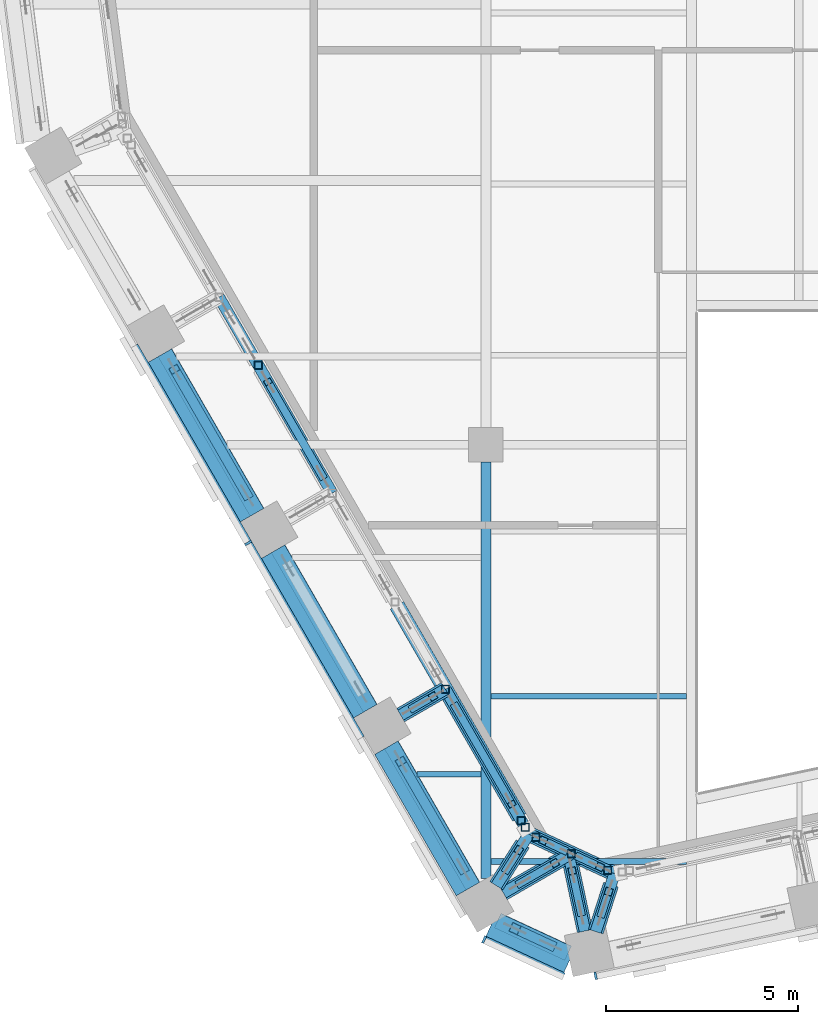
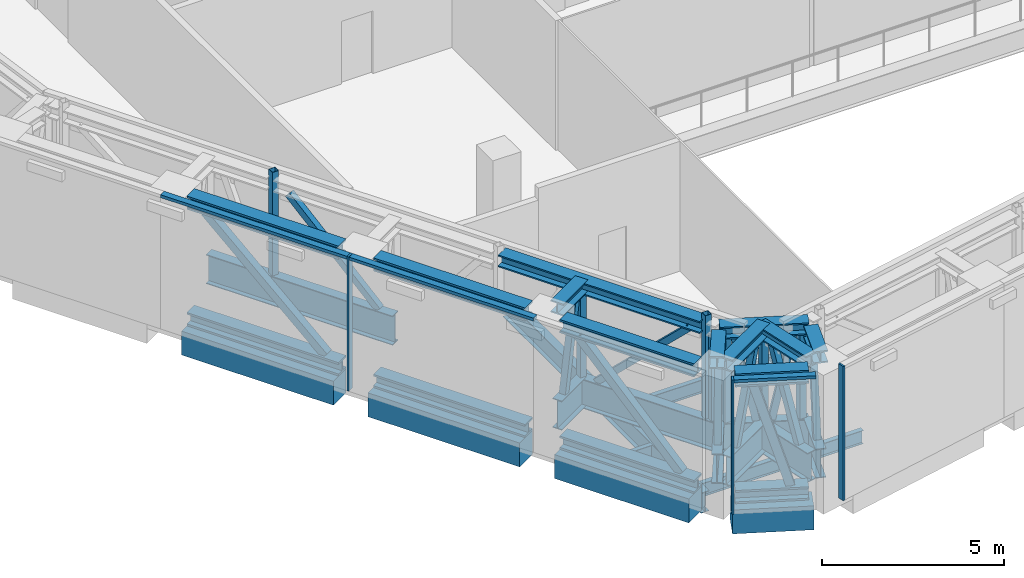
# One storey, part 2 of 25: 48 members, 8 beams, 3 elements without a shape of their own.
"""IFC4 building model written with IfcOpenShell, lengths in metres."""

from ifc_helpers import new_model, si_unit, direction, frame, origin, origin_2d, place, context, subcontext, project, spatial, rectangle, hollow_rectangle, i_section, extrude, material, layer, layer_set, material_profile, profile_set, type_object, element, aggregate, save


model = new_model("IFC4")

# Units and contexts
model_context = context("Model", 3, precision=1e-05, world=origin(), true_north=direction((0.0, 1.0)))
body_context = subcontext(model_context, "Body", "Model", "MODEL_VIEW")
ifc_project = project(units=[si_unit("LENGTHUNIT", "METRE"), si_unit("AREAUNIT", "SQUARE_METRE"), si_unit("VOLUMEUNIT", "CUBIC_METRE"), si_unit("PLANEANGLEUNIT", "RADIAN"), si_unit("MASSUNIT", "GRAM", prefix="KILO")], contexts=[model_context])

# Site, building, storey
site_placement = place(None, origin())
site = spatial("IfcSite", under=ifc_project, at=site_placement, CompositionType="ELEMENT")
building_placement = place(site_placement, origin())
building = spatial("IfcBuilding", under=site, at=building_placement, Name="Isthmus Gate Tower", CompositionType="ELEMENT")
storey_placement = place(building_placement, frame((0.0, 0.0, 256.449951171875)))
storey = spatial("IfcBuildingStorey", under=building, at=storey_placement, Name="L65", CompositionType="ELEMENT", Elevation=256.449951171875)

# Members
ifc_material_1 = material(Name="Structural steel ASTM A913 Gr 65", Category="steel")
ifc_material_profile_1 = material_profile(ifc_material_1, i_section(OverallWidth=0.416015625, OverallDepth=0.444580078125, WebThickness=0.039794921875, FlangeThickness=0.0634765625, at=origin_2d()), Name="W14X342")
ifc_profile_set_1 = profile_set([ifc_material_profile_1], Name="Structural steel ASTM A913 Gr 65")
member_type_1 = type_object("IfcMemberType", Name="BELT TRUSS CHORD W14X342", PredefinedType="CHORD", material=ifc_profile_set_1)
for number, where, z_axis, x_axis, name in (
    (1, (-11.355712890625, -26.774658203125, 0.222412109375), (-0.907278117888, 0.420531112763, 0.0), (-0.420531112763, -0.907278117888, 0.0), "str-belt15-L65-01"),
    (2, (-11.355712890625, -26.774658203125, 4.127685546875), (-0.907278117888, 0.420531112763, 0.0), (-0.420531112763, -0.907278117888, 0.0), "str-belt15-L65-02"),
):
    element("IfcMember", number, at=place(storey_placement, frame(where, z_axis=z_axis, x_axis=x_axis)), inside=storey, type_object=member_type_1, Name=name, PredefinedType="CHORD", context=body_context, shape_type="SweptSolid", body=[
        extrude(i_section(OverallWidth=0.416015625, OverallDepth=0.444580078125, WebThickness=0.039794921875, FlangeThickness=0.0634765625, at=origin_2d()), origin(), (0.0, 0.0, 1.0), 2.02783203125),
    ])
for number, where, z_axis, x_axis, name in (
    (3, (-13.842041015625, -25.02490234375, 0.222412109375), (-0.499978742089, 0.866037676697, 0.0), (-0.866037676697, -0.499978742089, 0.0), "str-belt16-L65-01"),
    (4, (-13.842041015625, -25.02490234375, 4.127685546875), (-0.499978742089, 0.866037676697, 0.0), (-0.866037676697, -0.499978742089, 0.0), "str-belt16-L65-02"),
):
    element("IfcMember", number, at=place(storey_placement, frame(where, z_axis=z_axis, x_axis=x_axis)), inside=storey, type_object=member_type_1, Name=name, PredefinedType="CHORD", context=body_context, shape_type="SweptSolid", body=[
        extrude(i_section(OverallWidth=0.416015625, OverallDepth=0.444580078125, WebThickness=0.039794921875, FlangeThickness=0.0634765625, at=origin_2d()), origin(), (0.0, 0.0, 1.0), 4.260498046875),
    ])
for number, where, z_axis, x_axis, name in (
    (5, (-16.522216796875, -20.382568359375, 0.222412109375), (-0.500003616288, 0.866023315909, 0.0), (-0.866023315909, -0.500003616288, 0.0), "str-belt17-L65-01"),
    (6, (-16.522216796875, -20.382568359375, 4.127685546875), (-0.500003616288, 0.866023315909, 0.0), (-0.866023315909, -0.500003616288, 0.0), "str-belt17-L65-02"),
):
    element("IfcMember", number, at=place(storey_placement, frame(where, z_axis=z_axis, x_axis=x_axis)), inside=storey, type_object=member_type_1, Name=name, PredefinedType="CHORD", context=body_context, shape_type="SweptSolid", body=[
        extrude(i_section(OverallWidth=0.416015625, OverallDepth=0.444580078125, WebThickness=0.039794921875, FlangeThickness=0.0634765625, at=origin_2d()), origin(), (0.0, 0.0, 1.0), 4.810546875),
    ])
for number, where, z_axis, x_axis, name in (
    (7, (-19.4775390625, -15.263916015625, 0.222412109375), (-0.49998164095, 0.866036003127, 0.0), (-0.866036003127, -0.49998164095, 0.0), "str-belt18-L65-01"),
    (8, (-19.4775390625, -15.263916015625, 4.127685546875), (-0.49998164095, 0.866036003127, 0.0), (-0.866036003127, -0.49998164095, 0.0), "str-belt18-L65-02"),
):
    element("IfcMember", number, at=place(storey_placement, frame(where, z_axis=z_axis, x_axis=x_axis)), inside=storey, type_object=member_type_1, Name=name, PredefinedType="CHORD", context=body_context, shape_type="SweptSolid", body=[
        extrude(i_section(OverallWidth=0.416015625, OverallDepth=0.444580078125, WebThickness=0.039794921875, FlangeThickness=0.0634765625, at=origin_2d()), origin(), (0.0, 0.0, 1.0), 4.810791015625),
    ])

# Curtain wall, member
ifc_material_2 = material(Name="Aluminium, pale champagne anodised", Category="aluminium")
ifc_layer = layer(ifc_material_2, 0.199951171875)
ifc_layer_set = layer_set([ifc_layer], Name="CW-2 LOUVRE CURTAIN WALL 200 DEEP")
curtain_wall_type = type_object("IfcCurtainWallType", Name="CW-2 LOUVRE CURTAIN WALL 200 DEEP", PredefinedType="NOTDEFINED", material=ifc_layer_set)
curtain_wall_1_placement = place(storey_placement, origin())
curtain_wall_1 = element("IfcCurtainWall", 9, at=curtain_wall_1_placement, inside=storey, type_object=curtain_wall_type, Name="CW-2 SW L65", PredefinedType="NOTDEFINED")
ifc_material_3 = material(Name="Aluminium, pale champagne anodised", Category="aluminium")
ifc_material_profile_2 = material_profile(ifc_material_3, rectangle(XDim=0.06005859375, YDim=0.199951171875, at=origin_2d()), Name="60x200")
ifc_profile_set_2 = profile_set([ifc_material_profile_2], Name="Aluminium, pale champagne anodised")
member_type_2 = type_object("IfcMemberType", Name="CW-2 MULLION 60 X 200", PredefinedType="MULLION", material=ifc_profile_set_2)
member_1_placement = place(storey_placement, frame((-19.707275390625, -16.066162109375, 0.0), z_axis=(0.0, 0.0, 1.0), x_axis=(0.5, -0.866025403784, 0.0)))
member_1 = element("IfcMember", 10, at=member_1_placement, type_object=member_type_2, Name="CW-2 mullion", PredefinedType="MULLION", context=body_context, shape_type="SweptSolid", body=[
    extrude(rectangle(XDim=0.06005859375, YDim=0.199951171875, at=origin_2d()), origin(), (0.0, 0.0, 1.0), 4.5),
])

curtain_wall_2_placement = place(storey_placement, origin())
curtain_wall_2 = element("IfcCurtainWall", 11, at=curtain_wall_2_placement, inside=storey, type_object=curtain_wall_type, Name="CW-2 SW-S L65", PredefinedType="NOTDEFINED")
member_2_placement = place(storey_placement, frame((-13.54833984375, -26.419677734375, 0.0), z_axis=(0.0, 0.0, 1.0), x_axis=(0.907256261367, -0.420578264073, 0.0)))
member_2 = element("IfcMember", 12, at=member_2_placement, type_object=member_type_2, Name="CW-2 mullion", PredefinedType="MULLION", context=body_context, shape_type="SweptSolid", body=[
    extrude(rectangle(XDim=0.06005859375, YDim=0.199951171875, at=origin_2d()), origin(), (0.0, 0.0, 1.0), 4.5),
])

curtain_wall_3_placement = place(storey_placement, origin())
curtain_wall_3 = element("IfcCurtainWall", 13, at=curtain_wall_3_placement, inside=storey, type_object=curtain_wall_type, Name="CW-2 S L65", PredefinedType="NOTDEFINED")
member_3_placement = place(storey_placement, frame((-10.6376953125, -27.36328125, 0.0), z_axis=(0.0, 0.0, 1.0), x_axis=(0.978147600734, 0.207911690818, 0.0)))
member_3 = element("IfcMember", 14, at=member_3_placement, type_object=member_type_2, Name="CW-2 mullion", PredefinedType="MULLION", context=body_context, shape_type="SweptSolid", body=[
    extrude(rectangle(XDim=0.06005859375, YDim=0.199951171875, at=origin_2d()), origin(), (0.0, 0.0, 1.0), 4.5),
])
aggregate(curtain_wall_3, [member_3])

# Member
ifc_material_4 = material(Name="Aluminium, pale champagne anodised", Category="aluminium")
ifc_material_profile_3 = material_profile(ifc_material_4, rectangle(XDim=0.199951171875, YDim=0.10009765625, at=origin_2d()), Name="200x100")
ifc_profile_set_3 = profile_set([ifc_material_profile_3], Name="Aluminium, pale champagne anodised")
member_type_3 = type_object("IfcMemberType", Name="CW-2 TRANSOM 200 X 100", PredefinedType="USERDEFINED", material=ifc_profile_set_3)
member_4_placement = place(storey_placement, frame((-22.677490234375, -10.92138671875, 4.449951171875), z_axis=(0.500008496284, -0.866020498397, 0.0), x_axis=(0.866020498397, 0.500008496284, 0.0)))
member_4 = element("IfcMember", 15, at=member_4_placement, type_object=member_type_3, Name="CW-2 transom", ObjectType="TRANSOM", PredefinedType="USERDEFINED", context=body_context, shape_type="SweptSolid", body=[
    extrude(rectangle(XDim=0.199951171875, YDim=0.10009765625, at=origin_2d()), origin(), (0.0, 0.0, 1.0), 5.91064453125),
])

member_5_placement = place(storey_placement, frame((-19.692138671875, -16.092041015625, 4.449951171875), z_axis=(0.49998975084, -0.866031321059, 0.0), x_axis=(0.866031321059, 0.49998975084, 0.0)))
member_5 = element("IfcMember", 16, at=member_5_placement, type_object=member_type_3, Name="CW-2 transom", ObjectType="TRANSOM", PredefinedType="USERDEFINED", context=body_context, shape_type="SweptSolid", body=[
    extrude(rectangle(XDim=0.199951171875, YDim=0.10009765625, at=origin_2d()), origin(), (0.0, 0.0, 1.0), 5.8505859375),
])

aggregate(curtain_wall_1, [member_4, member_1, member_5])

member_6_placement = place(storey_placement, frame((-13.521240234375, -26.432373046875, 4.449951171875), z_axis=(0.907246225564, -0.420599912268, 0.0), x_axis=(0.420599912268, 0.907246225564, 0.0)))
member_6 = element("IfcMember", 17, at=member_6_placement, type_object=member_type_3, Name="CW-2 transom", ObjectType="TRANSOM", PredefinedType="USERDEFINED", context=body_context, shape_type="SweptSolid", body=[
    extrude(rectangle(XDim=0.199951171875, YDim=0.10009765625, at=origin_2d()), origin(), (0.0, 0.0, 1.0), 2.258544921875),
])

aggregate(curtain_wall_2, [member_2, member_6])

# Beams
ifc_material_5 = material(Name="Concrete f'c 50 MPa", Category="concrete")
ifc_material_profile_4 = material_profile(ifc_material_5, rectangle(XDim=0.699951171875, YDim=0.800048828125, at=origin_2d()), Name="RC 700X800")
ifc_profile_set_4 = profile_set([ifc_material_profile_4], Name="Concrete f'c 50 MPa")
beam_type_1 = type_object("IfcBeamType", Name="RC SPANDREL 700 X 800", PredefinedType="SPANDREL", material=ifc_profile_set_4)
beam_1_placement = place(storey_placement, frame((-11.31689453125, -26.958251953125, -0.39990234375), z_axis=(-0.907254968276, 0.42058105347, 0.0), x_axis=(-0.42058105347, -0.907254968276, 0.0)))
element("IfcBeam", 18, at=beam_1_placement, inside=storey, type_object=beam_type_1, Name="str-spandrel-L65-15", PredefinedType="SPANDREL", context=body_context, shape_type="SweptSolid", body=[
    extrude(rectangle(XDim=0.699951171875, YDim=0.800048828125, at=origin_2d()), origin(), (0.0, 0.0, 1.0), 2.245849609375),
])
beam_2_placement = place(storey_placement, frame((-13.971923828125, -25.10009765625, -0.39990234375), z_axis=(-0.499996907167, 0.866027189425, 0.0), x_axis=(-0.866027189425, -0.499996907167, 0.0)))
element("IfcBeam", 19, at=beam_2_placement, inside=storey, type_object=beam_type_1, Name="str-spandrel-L65-16", PredefinedType="SPANDREL", context=body_context, shape_type="SweptSolid", body=[
    extrude(rectangle(XDim=0.699951171875, YDim=0.800048828125, at=origin_2d()), origin(), (0.0, 0.0, 1.0), 4.2607421875),
])
for number, where, z_axis, x_axis, name in (
    (20, (-16.652099609375, -20.45751953125, -0.39990234375), (-0.500003616288, 0.866023315909, 0.0), (-0.866023315909, -0.500003616288, 0.0), "str-spandrel-L65-17"),
    (21, (-19.607421875, -15.3388671875, -0.39990234375), (-0.500003616288, 0.866023315909, 0.0), (-0.866023315909, -0.500003616288, 0.0), "str-spandrel-L65-18"),
):
    element("IfcBeam", number, at=place(storey_placement, frame(where, z_axis=z_axis, x_axis=x_axis)), inside=storey, type_object=beam_type_1, Name=name, PredefinedType="SPANDREL", context=body_context, shape_type="SweptSolid", body=[
        extrude(rectangle(XDim=0.699951171875, YDim=0.800048828125, at=origin_2d()), origin(), (0.0, 0.0, 1.0), 4.810546875),
    ])
ifc_material_6 = material(Name="Structural steel ASTM A992 Gr 50", Category="steel")
ifc_material_profile_5 = material_profile(ifc_material_6, i_section(OverallWidth=0.1396484375, OverallDepth=0.4033203125, WebThickness=0.00634765625, FlangeThickness=0.010986328125, at=origin_2d()), Name="W16X31")
ifc_profile_set_5 = profile_set([ifc_material_profile_5], Name="Structural steel ASTM A992 Gr 50")
beam_type_2 = type_object("IfcBeamType", Name="STEEL FLOOR BEAM W16X31", PredefinedType="JOIST", material=ifc_profile_set_5)
beam_3_placement = place(storey_placement, frame((-15.30126953125, -22.097412109375, -0.50146484375), z_axis=(1.0, 0.0, 0.0), x_axis=(0.0, 1.0, 0.0)))
element("IfcBeam", 22, at=beam_3_placement, inside=storey, type_object=beam_type_2, Name="str-beam-L65-02-00", PredefinedType="JOIST", context=body_context, shape_type="SweptSolid", body=[
    extrude(i_section(OverallWidth=0.1396484375, OverallDepth=0.4033203125, WebThickness=0.00634765625, FlangeThickness=0.010986328125, at=origin_2d()), origin(), (0.0, 0.0, 1.0), 1.67431640625),
])
ifc_material_7 = material(Name="Structural steel ASTM A992 Gr 50", Category="steel")
ifc_material_profile_6 = material_profile(ifc_material_7, i_section(OverallWidth=0.15234375, OverallDepth=0.45068359375, WebThickness=0.0078125, FlangeThickness=0.010986328125, at=origin_2d()), Name="W18X35")
ifc_profile_set_6 = profile_set([ifc_material_profile_6], Name="Structural steel ASTM A992 Gr 50")
beam_type_3 = type_object("IfcBeamType", Name="STEEL FLOOR BEAM W18X35", PredefinedType="JOIST", material=ifc_profile_set_6)
for number, where, z_axis, x_axis, name in (
    (23, (-13.373046875, -24.3759765625, -0.525390625), (1.0, 0.0, 0.0), (0.0, 1.0, 0.0), "str-beam-L65-04-00"),
    (24, (-13.373046875, -20.0673828125, -0.525390625), (1.0, 0.0, 0.0), (0.0, 1.0, 0.0), "str-beam-L65-04-01"),
):
    element("IfcBeam", number, at=place(storey_placement, frame(where, z_axis=z_axis, x_axis=x_axis)), inside=storey, type_object=beam_type_3, Name=name, PredefinedType="JOIST", context=body_context, shape_type="SweptSolid", body=[
        extrude(i_section(OverallWidth=0.15234375, OverallDepth=0.45068359375, WebThickness=0.0078125, FlangeThickness=0.010986328125, at=origin_2d()), origin(), (0.0, 0.0, 1.0), 5.109619140625),
    ])
ifc_material_8 = material(Name="Structural steel ASTM A992 Gr 50", Category="steel")
ifc_material_profile_7 = material_profile(ifc_material_8, i_section(OverallWidth=0.25390625, OverallDepth=0.679443359375, WebThickness=0.010986328125, FlangeThickness=0.015869140625, at=origin_2d()), Name="W27X84")
ifc_profile_set_7 = profile_set([ifc_material_profile_7], Name="Structural steel ASTM A992 Gr 50")
beam_type_4 = type_object("IfcBeamType", Name="STEEL GIRDER W27X84", PredefinedType="BEAM", material=ifc_profile_set_7)
beam_4_placement = place(storey_placement, frame((-13.5, -24.82763671875, -0.6396484375), z_axis=(0.0, 1.0, 0.0), x_axis=(-1.0, 0.0, 0.0)))
element("IfcBeam", 25, at=beam_4_placement, inside=storey, type_object=beam_type_4, Name="str-girder-L65-05", PredefinedType="BEAM", context=body_context, shape_type="SweptSolid", body=[
    extrude(i_section(OverallWidth=0.25390625, OverallDepth=0.679443359375, WebThickness=0.010986328125, FlangeThickness=0.015869140625, at=origin_2d()), origin(), (0.0, 0.0, 1.0), 10.877685546875),
])

# Members
ifc_material_9 = material(Name="Structural steel ASTM A913 Gr 65", Category="steel")
ifc_material_profile_8 = material_profile(ifc_material_9, i_section(OverallWidth=0.4033203125, OverallDepth=0.406494140625, WebThickness=0.027099609375, FlangeThickness=0.04443359375, at=origin_2d()), Name="W14X233")
ifc_profile_set_8 = profile_set([ifc_material_profile_8], Name="Structural steel ASTM A913 Gr 65")
member_type_4 = type_object("IfcMemberType", Name="TRANSFER TRUSS CHORD W14X233", PredefinedType="CHORD", material=ifc_profile_set_8)
member_7_placement = place(storey_placement, frame((-10.144287109375, -24.696044921875, 4.046875), z_axis=(-0.907264466325, 0.42056056418, 0.0), x_axis=(-0.42056056418, -0.907264466325, 0.0)))
element("IfcMember", 26, at=member_7_placement, inside=storey, type_object=member_type_4, Name="str-ring06-L65-05", PredefinedType="CHORD", context=body_context, shape_type="SweptSolid", body=[
    extrude(i_section(OverallWidth=0.4033203125, OverallDepth=0.406494140625, WebThickness=0.027099609375, FlangeThickness=0.04443359375, at=origin_2d()), origin(), (0.0, 0.0, 1.0), 2.4619140625),
])
member_8_placement = place(storey_placement, frame((-12.62890625, -23.226318359375, 4.046875), z_axis=(-0.499985980801, 0.866033497622, 0.0), x_axis=(-0.866033497622, -0.499985980801, 0.0)))
element("IfcMember", 27, at=member_8_placement, inside=storey, type_object=member_type_4, Name="str-ring07-L65-15", PredefinedType="CHORD", context=body_context, shape_type="SweptSolid", body=[
    extrude(i_section(OverallWidth=0.4033203125, OverallDepth=0.406494140625, WebThickness=0.027099609375, FlangeThickness=0.04443359375, at=origin_2d()), origin(), (0.0, 0.0, 1.0), 6.388916015625),
])
member_9_placement = place(storey_placement, frame((-15.727783203125, -20.558837890625, 4.046875), z_axis=(0.866019956843, 0.50000943426, 0.0), x_axis=(-0.50000943426, 0.866019956843, 0.0)))
element("IfcMember", 28, at=member_9_placement, inside=storey, type_object=member_type_4, Name="str-link13-L65-02", PredefinedType="CHORD", context=body_context, shape_type="SweptSolid", body=[
    extrude(i_section(OverallWidth=0.4033203125, OverallDepth=0.406494140625, WebThickness=0.027099609375, FlangeThickness=0.04443359375, at=origin_2d()), origin(), (0.0, 0.0, 1.0), 1.35009765625),
])
member_10_placement = place(storey_placement, frame((-13.04736328125, -25.201171875, 4.046875), z_axis=(0.866017268904, 0.500014089762, 0.0), x_axis=(-0.500014089762, 0.866017268904, 0.0)))
element("IfcMember", 29, at=member_10_placement, inside=storey, type_object=member_type_4, Name="str-link14-L65-02", PredefinedType="CHORD", context=body_context, shape_type="SweptSolid", body=[
    extrude(i_section(OverallWidth=0.4033203125, OverallDepth=0.406494140625, WebThickness=0.027099609375, FlangeThickness=0.04443359375, at=origin_2d()), origin(), (0.0, 0.0, 1.0), 2.05322265625),
])
member_11_placement = place(storey_placement, frame((-10.91650390625, -26.19580078125, 4.046875), z_axis=(-0.208001500949, 0.978128506692, 0.0), x_axis=(-0.978128506692, -0.208001500949, 0.0)))
element("IfcMember", 30, at=member_11_placement, inside=storey, type_object=member_type_4, Name="str-link15-L65-02", PredefinedType="CHORD", context=body_context, shape_type="SweptSolid", body=[
    extrude(i_section(OverallWidth=0.4033203125, OverallDepth=0.406494140625, WebThickness=0.027099609375, FlangeThickness=0.04443359375, at=origin_2d()), origin(), (0.0, 0.0, 1.0), 2.10693359375),
])
member_12_placement = place(storey_placement, frame((-10.63330078125, -26.21044921875, 4.046875), z_axis=(0.307301315772, 0.951612264173, 0.0), x_axis=(-0.951612264173, 0.307301315772, 0.0)))
element("IfcMember", 31, at=member_12_placement, inside=storey, type_object=member_type_4, Name="str-link36-L65-02", PredefinedType="CHORD", context=body_context, shape_type="SweptSolid", body=[
    extrude(i_section(OverallWidth=0.4033203125, OverallDepth=0.406494140625, WebThickness=0.027099609375, FlangeThickness=0.04443359375, at=origin_2d()), origin(), (0.0, 0.0, 1.0), 1.290283203125),
])
member_13_placement = place(storey_placement, frame((-13.230224609375, -25.01123046875, 4.046875), z_axis=(0.533665661705, 0.845695548952, 0.0), x_axis=(-0.845695548952, 0.533665661705, 0.0)))
element("IfcMember", 32, at=member_13_placement, inside=storey, type_object=member_type_4, Name="str-link37-L65-02", PredefinedType="CHORD", context=body_context, shape_type="SweptSolid", body=[
    extrude(i_section(OverallWidth=0.4033203125, OverallDepth=0.406494140625, WebThickness=0.027099609375, FlangeThickness=0.04443359375, at=origin_2d()), origin(), (0.0, 0.0, 1.0), 1.291015625),
])
ifc_material_10 = material(Name="Structural steel ASTM A913 Gr 65", Category="steel")
ifc_material_profile_9 = material_profile(ifc_material_10, i_section(OverallWidth=0.29833984375, OverallDepth=0.981201171875, WebThickness=0.015869140625, FlangeThickness=0.025390625, at=origin_2d()), Name="W40X167")
ifc_profile_set_9 = profile_set([ifc_material_profile_9], Name="Structural steel ASTM A913 Gr 65")
member_type_5 = type_object("IfcMemberType", Name="TRANSFER TRUSS CHORD W40X167", PredefinedType="CHORD", material=ifc_profile_set_9)
member_14_placement = place(storey_placement, frame((-10.144287109375, -24.696044921875, 0.490478515625), z_axis=(-0.907264466325, 0.42056056418, 0.0), x_axis=(-0.42056056418, -0.907264466325, 0.0)))
element("IfcMember", 33, at=member_14_placement, inside=storey, type_object=member_type_5, Name="str-ring06-L65-04", PredefinedType="CHORD", context=body_context, shape_type="SweptSolid", body=[
    extrude(i_section(OverallWidth=0.29833984375, OverallDepth=0.981201171875, WebThickness=0.015869140625, FlangeThickness=0.025390625, at=origin_2d()), origin(), (0.0, 0.0, 1.0), 2.4619140625),
])
member_15_placement = place(storey_placement, frame((-12.3779296875, -23.66064453125, 0.490478515625), z_axis=(-0.500016430238, 0.866015917575, 0.0), x_axis=(-0.866015917575, -0.500016430238, 0.0)))
element("IfcMember", 34, at=member_15_placement, inside=storey, type_object=member_type_5, Name="str-ring07-L65-10", PredefinedType="CHORD", context=body_context, shape_type="SweptSolid", body=[
    extrude(i_section(OverallWidth=0.29833984375, OverallDepth=0.981201171875, WebThickness=0.015869140625, FlangeThickness=0.025390625, at=origin_2d()), origin(), (0.0, 0.0, 1.0), 4.361083984375),
])
member_16_placement = place(storey_placement, frame((-17.513916015625, -14.764892578125, 0.490478515625), z_axis=(-0.500013290014, 0.866017730655, 0.0), x_axis=(-0.866017730655, -0.500013290014, 0.0)))
element("IfcMember", 35, at=member_16_placement, inside=storey, type_object=member_type_5, Name="str-ring07-L65-12", PredefinedType="CHORD", context=body_context, shape_type="SweptSolid", body=[
    extrude(i_section(OverallWidth=0.29833984375, OverallDepth=0.981201171875, WebThickness=0.015869140625, FlangeThickness=0.025390625, at=origin_2d()), origin(), (0.0, 0.0, 1.0), 5.909912109375),
])
member_17_placement = place(storey_placement, frame((-15.727783203125, -20.558837890625, 0.490478515625), z_axis=(0.866019956843, 0.50000943426, 0.0), x_axis=(-0.50000943426, 0.866019956843, 0.0)))
element("IfcMember", 36, at=member_17_placement, inside=storey, type_object=member_type_5, Name="str-link13-L65-01", PredefinedType="CHORD", context=body_context, shape_type="SweptSolid", body=[
    extrude(i_section(OverallWidth=0.29833984375, OverallDepth=0.981201171875, WebThickness=0.015869140625, FlangeThickness=0.025390625, at=origin_2d()), origin(), (0.0, 0.0, 1.0), 1.35009765625),
])
member_18_placement = place(storey_placement, frame((-13.04736328125, -25.201171875, 0.490478515625), z_axis=(0.866017268904, 0.500014089762, 0.0), x_axis=(-0.500014089762, 0.866017268904, 0.0)))
element("IfcMember", 37, at=member_18_placement, inside=storey, type_object=member_type_5, Name="str-link14-L65-01", PredefinedType="CHORD", context=body_context, shape_type="SweptSolid", body=[
    extrude(i_section(OverallWidth=0.29833984375, OverallDepth=0.981201171875, WebThickness=0.015869140625, FlangeThickness=0.025390625, at=origin_2d()), origin(), (0.0, 0.0, 1.0), 2.05322265625),
])
member_19_placement = place(storey_placement, frame((-10.91650390625, -26.19580078125, 0.490478515625), z_axis=(-0.208001500949, 0.978128506692, 0.0), x_axis=(-0.978128506692, -0.208001500949, 0.0)))
element("IfcMember", 38, at=member_19_placement, inside=storey, type_object=member_type_5, Name="str-link15-L65-01", PredefinedType="CHORD", context=body_context, shape_type="SweptSolid", body=[
    extrude(i_section(OverallWidth=0.29833984375, OverallDepth=0.981201171875, WebThickness=0.015869140625, FlangeThickness=0.025390625, at=origin_2d()), origin(), (0.0, 0.0, 1.0), 2.10693359375),
])
member_20_placement = place(storey_placement, frame((-10.63330078125, -26.21044921875, 0.490478515625), z_axis=(0.307285155223, 0.9516174827, 0.0), x_axis=(-0.9516174827, 0.307285155223, 0.0)))
element("IfcMember", 39, at=member_20_placement, inside=storey, type_object=member_type_5, Name="str-link36-L65-01", PredefinedType="CHORD", context=body_context, shape_type="SweptSolid", body=[
    extrude(i_section(OverallWidth=0.29833984375, OverallDepth=0.981201171875, WebThickness=0.015869140625, FlangeThickness=0.025390625, at=origin_2d()), origin(), (0.0, 0.0, 1.0), 1.59130859375),
])
member_21_placement = place(storey_placement, frame((-13.230224609375, -25.01123046875, 0.490478515625), z_axis=(0.533676614648, 0.845688637134, 0.0), x_axis=(-0.845688637134, 0.533676614648, 0.0)))
element("IfcMember", 40, at=member_21_placement, inside=storey, type_object=member_type_5, Name="str-link37-L65-01", PredefinedType="CHORD", context=body_context, shape_type="SweptSolid", body=[
    extrude(i_section(OverallWidth=0.29833984375, OverallDepth=0.981201171875, WebThickness=0.015869140625, FlangeThickness=0.025390625, at=origin_2d()), origin(), (0.0, 0.0, 1.0), 1.596923828125),
])
ifc_material_11 = material(Name="Structural steel ASTM A500 Gr C", Category="steel")
ifc_material_profile_10 = material_profile(ifc_material_11, hollow_rectangle(XDim=0.203125, YDim=0.203125, WallThickness=0.01171875, at=origin_2d()), Name="HSS8X8X1/2")
ifc_profile_set_10 = profile_set([ifc_material_profile_10], Name="Structural steel ASTM A500 Gr C")
member_type_6 = type_object("IfcMemberType", Name="TRANSFER TRUSS DIAGONAL HSS8X8X1/2", PredefinedType="BRACE", material=ifc_profile_set_10)
for number, where, z_axis, x_axis, name in (
    (41, (-11.069580078125, -24.26708984375, 0.981201171875), (0.186145335895, -0.086311335119, 0.978723795233), (0.420657044005, 0.90721973707, 0.0), "str-ring06-L65-06"),
    (42, (-11.460693359375, -24.0859375, 0.981201171875), (-0.186064753127, 0.086312675968, 0.978738999739), (-0.420812351122, -0.907147708559, 0.0), "str-ring06-L65-07"),
):
    element("IfcMember", number, at=place(storey_placement, frame(where, z_axis=z_axis, x_axis=x_axis)), inside=storey, type_object=member_type_6, Name=name, PredefinedType="BRACE", context=body_context, shape_type="SweptSolid", body=[
        extrude(hollow_rectangle(XDim=0.203125, YDim=0.203125, WallThickness=0.01171875, at=origin_2d()), origin(), (0.0, 0.0, 1.0), 2.9248046875),
    ])
member_22_placement = place(storey_placement, frame((-14.30859375, -20.31689453125, 0.981201171875), z_axis=(0.35947749732, -0.622624036008, 0.6950649169), x_axis=(0.86602218603, 0.500005573273, 0.0)))
element("IfcMember", 43, at=member_22_placement, inside=storey, type_object=member_type_6, Name="str-ring07-L65-19", PredefinedType="BRACE", context=body_context, shape_type="SweptSolid", body=[
    extrude(hollow_rectangle(XDim=0.203125, YDim=0.203125, WallThickness=0.01171875, at=origin_2d()), origin(), (0.0, 0.0, 1.0), 4.118408203125),
])
member_23_placement = place(storey_placement, frame((-17.763916015625, -14.331787109375, 0.981201171875), z_axis=(-0.353089004435, 0.611549914129, 0.708050038823), x_axis=(-0.866018967109, -0.500011148483, 0.0)))
element("IfcMember", 44, at=member_23_placement, inside=storey, type_object=member_type_6, Name="str-ring07-L65-22", PredefinedType="BRACE", context=body_context, shape_type="SweptSolid", body=[
    extrude(hollow_rectangle(XDim=0.203125, YDim=0.203125, WallThickness=0.01171875, at=origin_2d()), origin(), (0.0, 0.0, 1.0), 4.04296875),
])
member_24_placement = place(storey_placement, frame((-15.40283203125, -20.371337890625, 0.981201171875), z_axis=(0.177633064455, 0.102589772658, 0.978734812377), x_axis=(-0.50012165622, 0.865955154139, 0.0)))
element("IfcMember", 45, at=member_24_placement, inside=storey, type_object=member_type_6, Name="str-link13-L65-03", PredefinedType="BRACE", context=body_context, shape_type="SweptSolid", body=[
    extrude(hollow_rectangle(XDim=0.203125, YDim=0.203125, WallThickness=0.01171875, at=origin_2d()), origin(), (0.0, 0.0, 1.0), 2.9248046875),
])
member_25_placement = place(storey_placement, frame((-12.6142578125, -24.951171875, 0.981201171875), z_axis=(0.299037004544, 0.172650647431, 0.938492740438), x_axis=(-0.500003371769, 0.866023457084, 0.0)))
element("IfcMember", 46, at=member_25_placement, inside=storey, type_object=member_type_6, Name="str-link14-L65-03", PredefinedType="BRACE", context=body_context, shape_type="SweptSolid", body=[
    extrude(hollow_rectangle(XDim=0.203125, YDim=0.203125, WallThickness=0.01171875, at=origin_2d()), origin(), (0.0, 0.0, 1.0), 3.050048828125),
])
member_26_placement = place(storey_placement, frame((-11.0205078125, -25.706787109375, 0.981201171875), z_axis=(-0.075012957819, 0.352791588471, 0.932690276171), x_axis=(-0.978133620248, -0.207977452964, 0.0)))
element("IfcMember", 47, at=member_26_placement, inside=storey, type_object=member_type_6, Name="str-link15-L65-03", PredefinedType="BRACE", context=body_context, shape_type="SweptSolid", body=[
    extrude(hollow_rectangle(XDim=0.203125, YDim=0.203125, WallThickness=0.01171875, at=origin_2d()), origin(), (0.0, 0.0, 1.0), 3.069091796875),
])
for number, where, z_axis, x_axis, name in (
    (48, (-10.48095703125, -25.73876953125, 0.981201171875), (0.063022543537, 0.195244674614, 0.978727580096), (-0.951651080457, 0.30718108839, 0.0), "str-link36-L65-03"),
    (49, (-12.964111328125, -24.589599609375, 0.981201171875), (0.109435425948, 0.173460575988, 0.978741700412), (-0.845749927906, 0.533579478097, 0.0), "str-link37-L65-03"),
):
    element("IfcMember", number, at=place(storey_placement, frame(where, z_axis=z_axis, x_axis=x_axis)), inside=storey, type_object=member_type_6, Name=name, PredefinedType="BRACE", context=body_context, shape_type="SweptSolid", body=[
        extrude(hollow_rectangle(XDim=0.203125, YDim=0.203125, WallThickness=0.01171875, at=origin_2d()), origin(), (0.0, 0.0, 1.0), 2.9248046875),
    ])
ifc_material_12 = material(Name="Structural steel ASTM A500 Gr C", Category="steel")
ifc_material_profile_11 = material_profile(ifc_material_12, hollow_rectangle(XDim=0.203125, YDim=0.203125, WallThickness=0.01171875, at=origin_2d()), Name="HSS8X8X1/2")
ifc_profile_set_11 = profile_set([ifc_material_profile_11], Name="Structural steel ASTM A500 Gr C")
member_type_7 = type_object("IfcMemberType", Name="TRANSFER TRUSS POST HSS8X8X1/2", PredefinedType="POST", material=ifc_profile_set_11)
for number, where, z_axis, x_axis, name in (
    (50, (-10.32568359375, -24.612060546875, 0.981201171875), (0.0, 0.0, 1.0), (1.0, 0.0, 0.0), "str-ring06-L65-01"),
    (51, (-11.269287109375, -24.174560546875, 0.981201171875), (0.0, 0.0, 1.0), (1.0, 0.0, 0.0), "str-ring06-L65-02"),
    (52, (-12.196533203125, -23.744873046875, 0.981201171875), (0.0, 0.0, 1.0), (1.0, 0.0, 0.0), "str-ring06-L65-03"),
    (53, (-12.47802734375, -23.487548828125, 0.981201171875), (0.0, 0.0, 1.0), (1.0, 0.0, 0.0), "str-ring07-L65-01"),
):
    element("IfcMember", number, at=place(storey_placement, frame(where, z_axis=z_axis, x_axis=x_axis)), inside=storey, type_object=member_type_7, Name=name, PredefinedType="POST", context=body_context, shape_type="SweptSolid", body=[
        extrude(hollow_rectangle(XDim=0.203125, YDim=0.203125, WallThickness=0.01171875, at=origin_2d()), origin(), (0.0, 0.0, 1.0), 2.862548828125),
    ])
member_27_placement = place(storey_placement, frame((-12.578125, -23.314208984375, 0.981201171875), z_axis=(0.0, 0.0, 1.0), x_axis=(1.0, 0.0, 0.0)))
element("IfcMember", 54, at=member_27_placement, inside=storey, type_object=member_type_7, Name="str-ring07-L65-02", PredefinedType="POST", context=body_context, shape_type="SweptSolid", body=[
    extrude(hollow_rectangle(XDim=0.203125, YDim=0.203125, WallThickness=0.01171875, at=origin_2d()), origin(), (0.0, 0.0, 1.0), 3.46875),
])
member_28_placement = place(storey_placement, frame((-14.55859375, -19.8837890625, 0.981201171875), z_axis=(0.0, 0.0, 1.0), x_axis=(1.0, 0.0, 0.0)))
element("IfcMember", 55, at=member_28_placement, inside=storey, type_object=member_type_7, Name="str-ring07-L65-03", PredefinedType="POST", context=body_context, shape_type="SweptSolid", body=[
    extrude(hollow_rectangle(XDim=0.203125, YDim=0.203125, WallThickness=0.01171875, at=origin_2d()), origin(), (0.0, 0.0, 1.0), 2.862548828125),
])
member_29_placement = place(storey_placement, frame((-19.44140625, -11.42626953125, 0.981201171875), z_axis=(0.0, 0.0, 1.0), x_axis=(1.0, 0.0, 0.0)))
element("IfcMember", 56, at=member_29_placement, inside=storey, type_object=member_type_7, Name="str-ring07-L65-06", PredefinedType="POST", context=body_context, shape_type="SweptSolid", body=[
    extrude(hollow_rectangle(XDim=0.203125, YDim=0.203125, WallThickness=0.01171875, at=origin_2d()), origin(), (0.0, 0.0, 1.0), 3.46875),
])
ifc_material_13 = material(Name="Structural steel ASTM A500 Gr C", Category="steel")
ifc_material_profile_12 = material_profile(ifc_material_13, hollow_rectangle(XDim=0.25390625, YDim=0.25390625, WallThickness=0.01171875, at=origin_2d()), Name="HSS10X10X1/2")
ifc_profile_set_12 = profile_set([ifc_material_profile_12], Name="Structural steel ASTM A500 Gr C")
member_type_8 = type_object("IfcMemberType", Name="TRUSS DIAGONAL HSS10X10X1/2", PredefinedType="BRACE", material=ifc_profile_set_12)
member_30_placement = place(storey_placement, frame((-11.809326171875, -26.564453125, 0.444580078125), z_axis=(-0.258317949306, 0.119691824679, 0.958616557426), x_axis=(-0.420413321764, -0.907332705728, 0.0)))
element("IfcMember", 57, at=member_30_placement, inside=storey, type_object=member_type_8, Name="str-belt15-L65-03", PredefinedType="BRACE", context=body_context, shape_type="SweptSolid", body=[
    extrude(hollow_rectangle(XDim=0.25390625, YDim=0.25390625, WallThickness=0.01171875, at=origin_2d()), origin(), (0.0, 0.0, 1.0), 3.6103515625),
])
member_31_placement = place(storey_placement, frame((-14.092041015625, -24.592041015625, 0.444580078125), z_axis=(-0.342832617236, 0.593859824915, 0.727871077122), x_axis=(-0.866045933979, -0.499964438974, 0.0)))
element("IfcMember", 58, at=member_31_placement, inside=storey, type_object=member_type_8, Name="str-belt16-L65-03", PredefinedType="BRACE", context=body_context, shape_type="SweptSolid", body=[
    extrude(hollow_rectangle(XDim=0.25390625, YDim=0.25390625, WallThickness=0.01171875, at=origin_2d()), origin(), (0.0, 0.0, 1.0), 4.7548828125),
])
member_32_placement = place(storey_placement, frame((-19.7275390625, -14.830810546875, 0.444580078125), z_axis=(-0.370123663103, 0.641076570241, 0.672331246559), x_axis=(-0.866026613056, -0.499997905474, 0.0)))
element("IfcMember", 59, at=member_32_placement, inside=storey, type_object=member_type_8, Name="str-belt18-L65-03", PredefinedType="BRACE", context=body_context, shape_type="SweptSolid", body=[
    extrude(hollow_rectangle(XDim=0.25390625, YDim=0.25390625, WallThickness=0.01171875, at=origin_2d()), origin(), (0.0, 0.0, 1.0), 5.147705078125),
])

save(model, "model.ifc")
